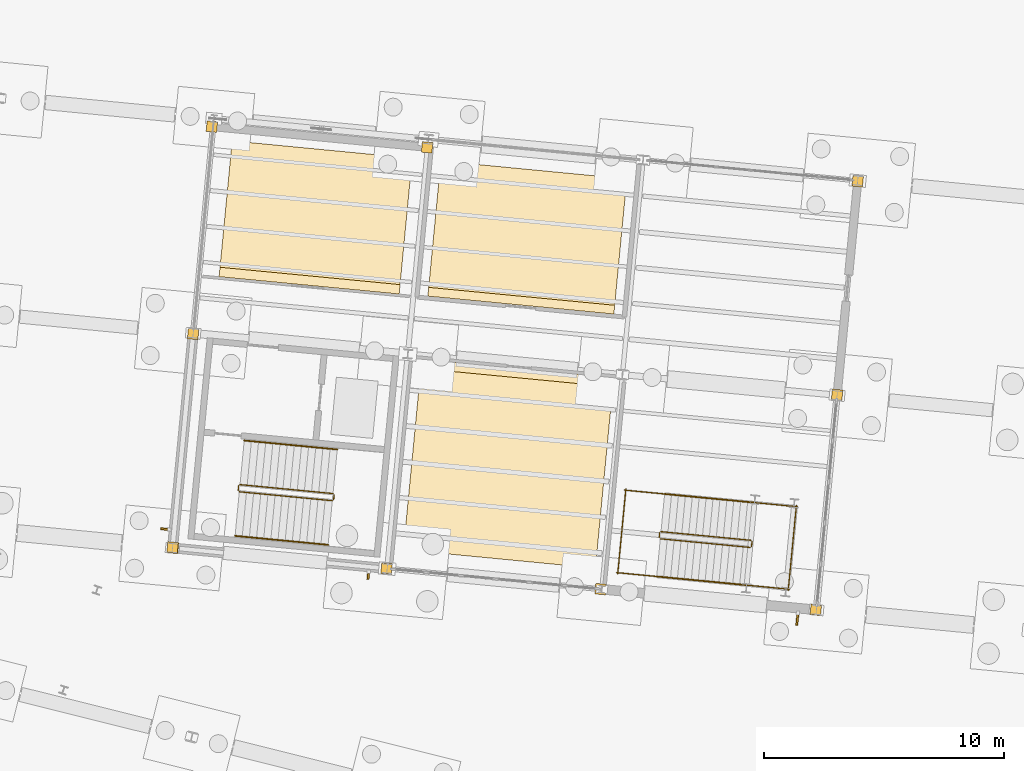
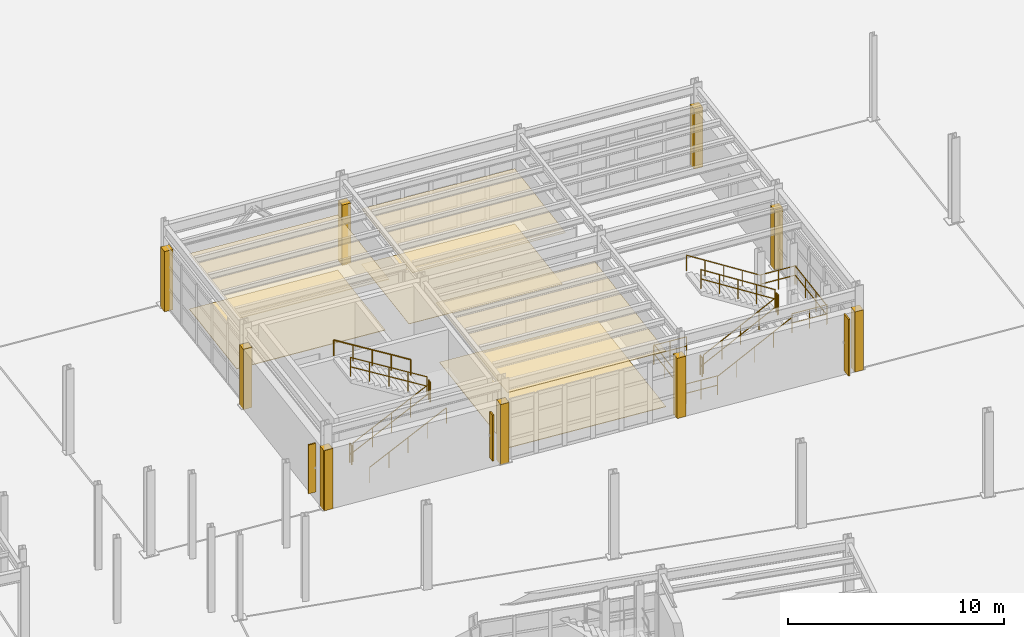
# One storey, part 104 of 108: 18 railings, 16 coverings, 3 shading devices.
"""IFC4 building model written with IfcOpenShell, lengths in metres."""

from ifc_helpers import new_model, si_unit, direction, frame, origin, origin_2d, place, context, subcontext, project, spatial, polyline, rectangle, circle, outline, extrude, material, layer, layer_set, type_object, element, save


model = new_model("IFC4")

# Units and contexts
model_context = context("Model", 3, precision=1e-05, world=origin(), true_north=direction((0.0, 1.0)))
body_context = subcontext(model_context, "Body", "Model", "MODEL_VIEW")
ifc_project = project(units=[si_unit("LENGTHUNIT", "METRE"), si_unit("AREAUNIT", "SQUARE_METRE"), si_unit("VOLUMEUNIT", "CUBIC_METRE"), si_unit("PLANEANGLEUNIT", "RADIAN"), si_unit("MASSUNIT", "GRAM", prefix="KILO")], contexts=[model_context])

# Site, building, storey
site_placement = place(None, origin())
site = spatial("IfcSite", under=ifc_project, at=site_placement, CompositionType="ELEMENT")
building_placement = place(site_placement, origin())
building = spatial("IfcBuilding", under=site, at=building_placement, Name="Vireo Bluff Cable Station", CompositionType="ELEMENT")
storey_placement = place(building_placement, origin())
storey = spatial("IfcBuildingStorey", under=building, at=storey_placement, Name="L00", CompositionType="ELEMENT", Elevation=0.0)

# Coverings
ifc_material_1 = material(Name="Perforated Acoustic Metal Ceiling")
ifc_layer_1 = layer(ifc_material_1, 0.02490234375, Name="Perforated Acoustic Metal Ceiling")
ifc_layer_set_1 = layer_set([ifc_layer_1], Name="Perforated Acoustic Metal Ceiling")
covering_type_1 = type_object("IfcCoveringType", Name="CEILING-ACOUSTIC-25", PredefinedType="CEILING", material=ifc_layer_set_1)
covering_1_placement = place(storey_placement, frame((0.0, 0.0, 3.1201171875)))
element("IfcCovering", 1, at=covering_1_placement, inside=storey, type_object=covering_type_1, Name="V3 L00 Security and Lost Property Office acoustic ceiling", PredefinedType="CEILING", context=body_context, shape_type="SweptSolid", body=[
    extrude(outline(polyline([(78.39453125, 77.513427734375), (86.158447265625, 76.765869140625), (86.70166015625, 82.4072265625), (78.937744140625, 83.15478515625), (78.39453125, 77.513427734375)])), origin(), (0.0, 0.0, 1.0), 0.02490234375),
])
ifc_layer_2 = layer(ifc_material_1, 0.034912109375, Name="Perforated Acoustic Metal Ceiling")
ifc_layer_set_2 = layer_set([ifc_layer_2], Name="Perforated Acoustic Metal Ceiling")
covering_type_2 = type_object("IfcCoveringType", Name="CEILING-ACOUSTIC-35", PredefinedType="CEILING", material=ifc_layer_set_2)
covering_2_placement = place(storey_placement, frame((0.0, 0.0, 3.1201171875)))
element("IfcCovering", 2, at=covering_2_placement, inside=storey, type_object=covering_type_2, Name="V3 L00 Ground Dispatch Room acoustic ceiling", PredefinedType="CEILING", context=body_context, shape_type="SweptSolid", body=[
    extrude(outline(polyline([(77.375244140625, 66.929931640625), (85.38818359375, 66.158203125), (86.153564453125, 74.1064453125), (78.140625, 74.878173828125), (77.375244140625, 66.929931640625)])), origin(), (0.0, 0.0, 1.0), 0.034912109375),
])
covering_3_placement = place(storey_placement, frame((0.0, 0.0, 3.1201171875)))
element("IfcCovering", 3, at=covering_3_placement, inside=storey, type_object=covering_type_2, Name="V3 L00 Bluff Arrival Vestibule acoustic ceiling", PredefinedType="CEILING", context=body_context, shape_type="SweptSolid", body=[
    extrude(outline(polyline([(69.68212890625, 78.32470703125), (77.197265625, 77.60107421875), (77.7431640625, 83.269775390625), (70.22802734375, 83.993408203125), (69.68212890625, 78.32470703125)])), origin(), (0.0, 0.0, 1.0), 0.034912109375),
])
ifc_material_2 = material(Name="Precast concrete f'c 45 MPa", Category="concrete")
ifc_layer_3 = layer(ifc_material_2, 0.0400390625, Name="Precast concrete f'c 45 MPa")
ifc_layer_set_3 = layer_set([ifc_layer_3], Name="Precast concrete f'c 45 MPa")
covering_type_3 = type_object("IfcCoveringType", Name="COL-CLOSURE-WRAP", PredefinedType="CLADDING", material=ifc_layer_set_3)
for number, where, z_axis, x_axis, name in (
    (4, (94.5888671875, 64.41845703125, 0.0), (0.0, 0.0, 1.0), (0.995396198367, -0.09584575252, 0.0), "V3 L00 column pocket closure"),
    (5, (85.6044921875, 65.283447265625, 0.0), (0.0, 0.0, 1.0), (0.995396198367, -0.09584575252, 0.0), "V3 L00 column pocket closure"),
    (6, (76.671875, 66.1435546875, 0.0), (0.0, 0.0, 1.0), (0.995396198367, -0.09584575252, 0.0), "V3 L00 column pocket closure"),
    (7, (67.760498046875, 67.001708984375, 0.0), (0.0, 0.0, 1.0), (0.995396198367, -0.09584575252, 0.0), "V3 L00 column pocket closure"),
    (8, (67.740234375, 67.025390625, 0.0), (0.0, 0.0, 1.0), (0.995396198367, -0.09584575252, 0.0), "V3 L00 column pocket closure"),
    (9, (68.597900390625, 75.93212890625, 0.0), (0.0, 0.0, 1.0), (0.995396198367, -0.09584575252, 0.0), "V3 L00 column pocket closure"),
    (10, (69.3798828125, 84.58740234375, 0.0), (0.0, 0.0, 1.0), (0.995396198367, -0.09584575252, 0.0), "V3 L00 column pocket closure"),
    (11, (78.364501953125, 83.722412109375, 0.0), (0.0, 0.0, 1.0), (0.995396198367, -0.09584575252, 0.0), "V3 L00 column pocket closure"),
    (12, (96.336181640625, 82.302734375, 0.0), (0.0, 0.0, 1.0), (0.995396198367, -0.09584575252, 0.0), "V3 L00 column pocket closure"),
    (13, (95.478515625, 73.39599609375, 0.0), (0.0, 0.0, 1.0), (0.995396198367, -0.09584575252, 0.0), "V3 L00 column pocket closure"),
):
    element("IfcCovering", number, at=place(storey_placement, frame(where, z_axis=z_axis, x_axis=x_axis)), inside=storey, type_object=covering_type_3, Name=name, PredefinedType="CLADDING", context=body_context, shape_type="SweptSolid", body=[
        extrude(rectangle(XDim=0.43994140625, YDim=0.43994140625, at=origin_2d()), origin(), (0.0, 0.0, 1.0), 3.39990234375),
    ])
ifc_material_3 = material(Name="Polished Terrazzo Flooring")
ifc_layer_4 = layer(ifc_material_3, 0.02001953125, Name="Polished Terrazzo Flooring")
ifc_layer_set_4 = layer_set([ifc_layer_4], Name="Polished Terrazzo Flooring")
covering_type_4 = type_object("IfcCoveringType", Name="FLOORING-TERRAZZO-20", PredefinedType="FLOORING", material=ifc_layer_set_4)
covering_4_placement = place(storey_placement, origin())
element("IfcCovering", 14, at=covering_4_placement, inside=storey, type_object=covering_type_4, Name="V3 L00 Security and Lost Property Office terrazzo finish", PredefinedType="FLOORING", context=body_context, shape_type="SweptSolid", body=[
    extrude(outline(polyline([(78.4296875, 77.879150390625), (86.19384765625, 77.131591796875), (86.70166015625, 82.4072265625), (78.937744140625, 83.15478515625), (78.4296875, 77.879150390625)])), origin(), (0.0, 0.0, 1.0), 0.02001953125),
])
ifc_layer_5 = layer(ifc_material_3, 0.030029296875, Name="Polished Terrazzo Flooring")
ifc_layer_set_5 = layer_set([ifc_layer_5], Name="Polished Terrazzo Flooring")
covering_type_5 = type_object("IfcCoveringType", Name="FLOORING-TERRAZZO-30", PredefinedType="FLOORING", material=ifc_layer_set_5)
covering_5_placement = place(storey_placement, origin())
element("IfcCovering", 15, at=covering_5_placement, inside=storey, type_object=covering_type_5, Name="V3 L00 Ground Dispatch Room terrazzo finish", PredefinedType="FLOORING", context=body_context, shape_type="SweptSolid", body=[
    extrude(outline(polyline([(77.375244140625, 66.929931640625), (85.38818359375, 66.158203125), (86.11669921875, 73.723388671875), (78.103759765625, 74.494873046875), (77.375244140625, 66.929931640625)])), origin(), (0.0, 0.0, 1.0), 0.030029296875),
])
covering_6_placement = place(storey_placement, origin())
element("IfcCovering", 16, at=covering_6_placement, inside=storey, type_object=covering_type_5, Name="V3 L00 Bluff Arrival Vestibule terrazzo finish", PredefinedType="FLOORING", context=body_context, shape_type="SweptSolid", body=[
    extrude(outline(polyline([(69.719970703125, 78.7177734375), (77.235107421875, 77.994140625), (77.7431640625, 83.269775390625), (70.22802734375, 83.993408203125), (69.719970703125, 78.7177734375)])), origin(), (0.0, 0.0, 1.0), 0.030029296875),
])

# Shading devices
ifc_material_4 = material(Name="Extruded Terracotta Solar Fin", Category="masonry")
shading_device_type_1 = type_object("IfcShadingDeviceType", Name="SOLARFIN-320X2600", PredefinedType="SHUTTER", material=ifc_material_4)
shading_device_1_placement = place(storey_placement, frame((75.91015625, 65.850341796875, 0.550048828125), z_axis=(0.0, 0.0, 1.0), x_axis=(-0.995396205524, 0.095845678199, 0.0)))
element("IfcShadingDevice", 17, at=shading_device_1_placement, inside=storey, type_object=shading_device_type_1, Name="V3 L00 solar brise-soleil fin 18", PredefinedType="SHUTTER", context=body_context, shape_type="SweptSolid", body=[
    extrude(rectangle(XDim=0.080078125, YDim=0.320068359375, at=origin_2d()), origin(), (0.0, 0.0, 1.0), 2.60009765625),
])
shading_device_type_2 = type_object("IfcShadingDeviceType", Name="SOLARFIN-360X2750", PredefinedType="SHUTTER", material=ifc_material_4)
shading_device_2_placement = place(storey_placement, frame((67.421875, 67.789306640625, 0.47509765625), z_axis=(0.0, 0.0, 1.0), x_axis=(0.095845710321, 0.99539620243, 0.0)))
element("IfcShadingDevice", 18, at=shading_device_2_placement, inside=storey, type_object=shading_device_type_2, Name="V3 L00 solar brise-soleil fin 19", PredefinedType="SHUTTER", context=body_context, shape_type="SweptSolid", body=[
    extrude(rectangle(XDim=0.080078125, YDim=0.360107421875, at=origin_2d()), origin(), (0.0, 0.0, 1.0), 2.75),
])
shading_device_type_3 = type_object("IfcShadingDeviceType", Name="SOLARFIN-520X3200", PredefinedType="SHUTTER", material=ifc_material_4)
shading_device_3_placement = place(storey_placement, frame((93.818115234375, 64.030517578125, 0.25), z_axis=(0.0, 0.0, 1.0), x_axis=(-0.995396202153, 0.095845713205, 0.0)))
element("IfcShadingDevice", 19, at=shading_device_3_placement, inside=storey, type_object=shading_device_type_3, Name="V3 L00 solar brise-soleil fin 17", PredefinedType="SHUTTER", context=body_context, shape_type="SweptSolid", body=[
    extrude(rectangle(XDim=0.080078125, YDim=0.52001953125, at=origin_2d()), origin(), (0.0, 0.0, 1.0), 3.199951171875),
])

# Railings
ifc_material_5 = material(Name="Stainless Steel 316", Category="steel")
railing_type_1 = type_object("IfcRailingType", Name="STAIR-GUARD-1100", PredefinedType="GUARDRAIL", material=ifc_material_5)
railing_1_placement = place(storey_placement, frame((70.525634765625, 69.347412109375, 0.17138671875)))
element("IfcRailing", 20, at=railing_1_placement, inside=storey, type_object=railing_type_1, Name="L00 ST-01 stair guard 1", PredefinedType="GUARDRAIL", context=body_context, shape_type="SweptSolid", body=[
    extrude(circle(Radius=0.02392578125, at=origin_2d()), frame((0.0, 0.0, 1.076171875), z_axis=(0.864253522803, -0.083213140269, 0.496126416964), x_axis=(0.095840036621, 0.995396748729, 0.0)), (0.0, 0.0, 1.0), 4.491943359375),
    extrude(circle(Radius=0.02392578125, at=origin_2d()), frame((0.0, 0.0, 0.550048828125), z_axis=(0.864253522803, -0.083213140269, 0.496126416964), x_axis=(0.095840036621, 0.995396748729, 0.0)), (0.0, 0.0, 1.0), 4.491943359375),
    extrude(circle(Radius=0.02099609375, at=origin_2d()), origin(), (0.0, 0.0, 1.0), 1.052001953125),
    extrude(circle(Radius=0.02099609375, at=origin_2d()), frame((0.970458984375, -0.093505859375, 0.55712890625)), (0.0, 0.0, 1.0), 1.052001953125),
    extrude(circle(Radius=0.02099609375, at=origin_2d()), frame((1.94091796875, -0.18701171875, 1.1142578125)), (0.0, 0.0, 1.0), 1.052001953125),
    extrude(circle(Radius=0.02099609375, at=origin_2d()), frame((2.91162109375, -0.2802734375, 1.67138671875)), (0.0, 0.0, 1.0), 1.052001953125),
    extrude(circle(Radius=0.02099609375, at=origin_2d()), frame((3.882080078125, -0.373779296875, 2.228515625)), (0.0, 0.0, 1.0), 1.052001953125),
])
railing_2_placement = place(storey_placement, frame((74.462158203125, 69.018798828125, 2.39990234375)))
element("IfcRailing", 21, at=railing_2_placement, inside=storey, type_object=railing_type_1, Name="L00 ST-01 stair guard 2", PredefinedType="GUARDRAIL", context=body_context, shape_type="SweptSolid", body=[
    extrude(circle(Radius=0.02392578125, at=origin_2d()), frame((0.0, 0.0, 1.076171875), z_axis=(0.096480314764, 0.995334892819, 0.0), x_axis=(-0.995334892819, 0.096480314764, 0.0)), (0.0, 0.0, 1.0), 0.199951171875),
    extrude(circle(Radius=0.02392578125, at=origin_2d()), frame((0.0, 0.0, 0.550048828125), z_axis=(0.096480314764, 0.995334892819, 0.0), x_axis=(-0.995334892819, 0.096480314764, 0.0)), (0.0, 0.0, 1.0), 0.199951171875),
    extrude(circle(Radius=0.02099609375, at=origin_2d()), origin(), (0.0, 0.0, 1.0), 1.052001953125),
    extrude(circle(Radius=0.02099609375, at=origin_2d()), frame((0.019287109375, 0.198974609375, 0.0)), (0.0, 0.0, 1.0), 1.052001953125),
])
railing_3_placement = place(storey_placement, frame((74.436279296875, 69.272216796875, 2.571533203125)))
element("IfcRailing", 22, at=railing_3_placement, inside=storey, type_object=railing_type_1, Name="L00 ST-01 stair guard 3", PredefinedType="GUARDRAIL", context=body_context, shape_type="SweptSolid", body=[
    extrude(circle(Radius=0.02392578125, at=origin_2d()), frame((0.0, 0.0, 1.076171875), z_axis=(-0.864249612696, 0.083267115694, 0.496124172359), x_axis=(-0.095902060697, -0.995390774899, 0.0)), (0.0, 0.0, 1.0), 4.491943359375),
    extrude(circle(Radius=0.02392578125, at=origin_2d()), frame((0.0, 0.0, 0.550048828125), z_axis=(-0.864249612696, 0.083267115694, 0.496124172359), x_axis=(-0.095902060697, -0.995390774899, 0.0)), (0.0, 0.0, 1.0), 4.491943359375),
    extrude(circle(Radius=0.02099609375, at=origin_2d()), origin(), (0.0, 0.0, 1.0), 1.052001953125),
    extrude(circle(Radius=0.02099609375, at=origin_2d()), frame((-0.970458984375, 0.093505859375, 0.55712890625)), (0.0, 0.0, 1.0), 1.052001953125),
    extrude(circle(Radius=0.02099609375, at=origin_2d()), frame((-1.94091796875, 0.18701171875, 1.1142578125)), (0.0, 0.0, 1.0), 1.052001953125),
    extrude(circle(Radius=0.02099609375, at=origin_2d()), frame((-2.91162109375, 0.280517578125, 1.67138671875)), (0.0, 0.0, 1.0), 1.052001953125),
    extrude(circle(Radius=0.02099609375, at=origin_2d()), frame((-3.882080078125, 0.3740234375, 2.228515625)), (0.0, 0.0, 1.0), 1.052001953125),
])
railing_4_placement = place(storey_placement, frame((70.48046875, 69.402099609375, 0.0)))
element("IfcRailing", 23, at=railing_4_placement, inside=storey, type_object=railing_type_1, Name="L00 ST-01 stair guard 4", PredefinedType="GUARDRAIL", context=body_context, shape_type="SweptSolid", body=[
    extrude(circle(Radius=0.02392578125, at=origin_2d()), frame((0.0, 0.0, 1.076171875), z_axis=(0.096480314764, 0.995334892819, 0.0), x_axis=(-0.995334892819, 0.096480314764, 0.0)), (0.0, 0.0, 1.0), 0.199951171875),
    extrude(circle(Radius=0.02392578125, at=origin_2d()), frame((0.0, 0.0, 0.550048828125), z_axis=(0.096480314764, 0.995334892819, 0.0), x_axis=(-0.995334892819, 0.096480314764, 0.0)), (0.0, 0.0, 1.0), 0.199951171875),
    extrude(circle(Radius=0.02099609375, at=origin_2d()), origin(), (0.0, 0.0, 1.0), 1.052001953125),
    extrude(circle(Radius=0.02099609375, at=origin_2d()), frame((0.019287109375, 0.198974609375, 0.0)), (0.0, 0.0, 1.0), 1.052001953125),
])
railing_5_placement = place(storey_placement, frame((88.098388671875, 67.38427734375, 0.17138671875)))
element("IfcRailing", 24, at=railing_5_placement, inside=storey, type_object=railing_type_1, Name="L00 ST-11 stair guard 1", PredefinedType="GUARDRAIL", context=body_context, shape_type="SweptSolid", body=[
    extrude(circle(Radius=0.02392578125, at=origin_2d()), frame((0.0, 0.0, 1.076171875), z_axis=(0.856872396868, -0.082509508612, 0.50888296933), x_axis=(0.095848147835, 0.995395967722, 0.0)), (0.0, 0.0, 1.0), 4.379150390625),
    extrude(circle(Radius=0.02392578125, at=origin_2d()), frame((0.0, 0.0, 0.550048828125), z_axis=(0.856872396868, -0.082509508612, 0.50888296933), x_axis=(0.095848147835, 0.995395967722, 0.0)), (0.0, 0.0, 1.0), 4.379150390625),
    extrude(circle(Radius=0.02099609375, at=origin_2d()), origin(), (0.0, 0.0, 1.0), 1.052001953125),
    extrude(circle(Radius=0.02099609375, at=origin_2d()), frame((0.93798828125, -0.09033203125, 0.55712890625)), (0.0, 0.0, 1.0), 1.052001953125),
    extrude(circle(Radius=0.02099609375, at=origin_2d()), frame((1.876220703125, -0.1806640625, 1.1142578125)), (0.0, 0.0, 1.0), 1.052001953125),
    extrude(circle(Radius=0.02099609375, at=origin_2d()), frame((2.814453125, -0.27099609375, 1.67138671875)), (0.0, 0.0, 1.0), 1.052001953125),
    extrude(circle(Radius=0.02099609375, at=origin_2d()), frame((3.75244140625, -0.361328125, 2.228515625)), (0.0, 0.0, 1.0), 1.052001953125),
])
railing_6_placement = place(storey_placement, frame((91.905517578125, 67.06787109375, 2.39990234375)))
element("IfcRailing", 25, at=railing_6_placement, inside=storey, type_object=railing_type_1, Name="L00 ST-11 stair guard 2", PredefinedType="GUARDRAIL", context=body_context, shape_type="SweptSolid", body=[
    extrude(circle(Radius=0.02392578125, at=origin_2d()), frame((0.0, 0.0, 1.076171875), z_axis=(0.095270200107, 0.995451449832, 0.0), x_axis=(-0.995451449832, 0.095270200107, 0.0)), (0.0, 0.0, 1.0), 0.199951171875),
    extrude(circle(Radius=0.02392578125, at=origin_2d()), frame((0.0, 0.0, 0.550048828125), z_axis=(0.095270200107, 0.995451449832, 0.0), x_axis=(-0.995451449832, 0.095270200107, 0.0)), (0.0, 0.0, 1.0), 0.199951171875),
    extrude(circle(Radius=0.02099609375, at=origin_2d()), origin(), (0.0, 0.0, 1.0), 1.052001953125),
    extrude(circle(Radius=0.02099609375, at=origin_2d()), frame((0.01904296875, 0.198974609375, 0.0)), (0.0, 0.0, 1.0), 1.052001953125),
])
for number, where, name in (
    (26, (91.699462890625, 65.4501953125, 2.39990234375), "L00 ST-11 stair guard 3"),
    (27, (92.031005859375, 68.894287109375, 2.39990234375), "L00 ST-11 stair guard 4"),
):
    element("IfcRailing", number, at=place(storey_placement, frame(where)), inside=storey, type_object=railing_type_1, Name=name, PredefinedType="GUARDRAIL", context=body_context, shape_type="SweptSolid", body=[
        extrude(circle(Radius=0.02392578125, at=origin_2d()), frame((0.0, 0.0, 1.076171875), z_axis=(0.995391866735, -0.09589072759, 0.0), x_axis=(0.09589072759, 0.995391866735, 0.0)), (0.0, 0.0, 1.0), 1.800048828125),
        extrude(circle(Radius=0.02392578125, at=origin_2d()), frame((0.0, 0.0, 0.550048828125), z_axis=(0.995391866735, -0.09589072759, 0.0), x_axis=(0.09589072759, 0.995391866735, 0.0)), (0.0, 0.0, 1.0), 1.800048828125),
        extrude(circle(Radius=0.02099609375, at=origin_2d()), origin(), (0.0, 0.0, 1.0), 1.052001953125),
        extrude(circle(Radius=0.02099609375, at=origin_2d()), frame((0.89599609375, -0.08642578125, 0.0)), (0.0, 0.0, 1.0), 1.052001953125),
        extrude(circle(Radius=0.02099609375, at=origin_2d()), frame((1.791748046875, -0.172607421875, 0.0)), (0.0, 0.0, 1.0), 1.052001953125),
    ])
railing_7_placement = place(storey_placement, frame((93.4365234375, 65.232666015625, 2.39990234375)))
element("IfcRailing", 28, at=railing_7_placement, inside=storey, type_object=railing_type_1, Name="L00 ST-11 stair guard 5", PredefinedType="GUARDRAIL", context=body_context, shape_type="SweptSolid", body=[
    extrude(circle(Radius=0.02392578125, at=origin_2d()), frame((0.0, 0.0, 1.076171875), z_axis=(0.095877061462, 0.995393183162, 0.0), x_axis=(-0.995393183162, 0.095877061462, 0.0)), (0.0, 0.0, 1.0), 3.559814453125),
    extrude(circle(Radius=0.02392578125, at=origin_2d()), frame((0.0, 0.0, 0.550048828125), z_axis=(0.095877061462, 0.995393183162, 0.0), x_axis=(-0.995393183162, 0.095877061462, 0.0)), (0.0, 0.0, 1.0), 3.559814453125),
    extrude(circle(Radius=0.02099609375, at=origin_2d()), origin(), (0.0, 0.0, 1.0), 1.052001953125),
    extrude(circle(Radius=0.02099609375, at=origin_2d()), frame((0.11376953125, 1.18115234375, 0.0)), (0.0, 0.0, 1.0), 1.052001953125),
    extrude(circle(Radius=0.02099609375, at=origin_2d()), frame((0.2275390625, 2.3623046875, 0.0)), (0.0, 0.0, 1.0), 1.052001953125),
    extrude(circle(Radius=0.02099609375, at=origin_2d()), frame((0.34130859375, 3.54345703125, 0.0)), (0.0, 0.0, 1.0), 1.052001953125),
])
railing_8_placement = place(storey_placement, frame((91.879638671875, 67.321533203125, 2.571533203125)))
element("IfcRailing", 29, at=railing_8_placement, inside=storey, type_object=railing_type_1, Name="L00 ST-11 stair guard 6", PredefinedType="GUARDRAIL", context=body_context, shape_type="SweptSolid", body=[
    extrude(circle(Radius=0.02392578125, at=origin_2d()), frame((0.0, 0.0, 1.076171875), z_axis=(-0.856887212378, 0.082505567258, 0.508858660763), x_axis=(-0.095841969468, -0.995396562626, 0.0)), (0.0, 0.0, 1.0), 4.37939453125),
    extrude(circle(Radius=0.02392578125, at=origin_2d()), frame((0.0, 0.0, 0.550048828125), z_axis=(-0.856887212378, 0.082505567258, 0.508858660763), x_axis=(-0.095841969468, -0.995396562626, 0.0)), (0.0, 0.0, 1.0), 4.37939453125),
    extrude(circle(Radius=0.02099609375, at=origin_2d()), origin(), (0.0, 0.0, 1.0), 1.052001953125),
    extrude(circle(Radius=0.02099609375, at=origin_2d()), frame((-0.938232421875, 0.09033203125, 0.55712890625)), (0.0, 0.0, 1.0), 1.052001953125),
    extrude(circle(Radius=0.02099609375, at=origin_2d()), frame((-1.87646484375, 0.1806640625, 1.1142578125)), (0.0, 0.0, 1.0), 1.052001953125),
    extrude(circle(Radius=0.02099609375, at=origin_2d()), frame((-2.814453125, 0.27099609375, 1.67138671875)), (0.0, 0.0, 1.0), 1.052001953125),
    extrude(circle(Radius=0.02099609375, at=origin_2d()), frame((-3.752685546875, 0.361328125, 2.228515625)), (0.0, 0.0, 1.0), 1.052001953125),
])
railing_9_placement = place(storey_placement, frame((88.05322265625, 67.438720703125, 0.0)))
element("IfcRailing", 30, at=railing_9_placement, inside=storey, type_object=railing_type_1, Name="L00 ST-11 stair guard 7", PredefinedType="GUARDRAIL", context=body_context, shape_type="SweptSolid", body=[
    extrude(circle(Radius=0.02392578125, at=origin_2d()), frame((0.0, 0.0, 1.076171875), z_axis=(0.096363177672, 0.995346240255, 0.0), x_axis=(-0.995346240255, 0.096363177672, 0.0)), (0.0, 0.0, 1.0), 0.2001953125),
    extrude(circle(Radius=0.02392578125, at=origin_2d()), frame((0.0, 0.0, 0.550048828125), z_axis=(0.096363177672, 0.995346240255, 0.0), x_axis=(-0.995346240255, 0.096363177672, 0.0)), (0.0, 0.0, 1.0), 0.2001953125),
    extrude(circle(Radius=0.02099609375, at=origin_2d()), origin(), (0.0, 0.0, 1.0), 1.052001953125),
    extrude(circle(Radius=0.02099609375, at=origin_2d()), frame((0.019287109375, 0.19921875, 0.0)), (0.0, 0.0, 1.0), 1.052001953125),
])
railing_10_placement = place(storey_placement, frame((86.274658203125, 65.972412109375, 0.0)))
element("IfcRailing", 31, at=railing_10_placement, inside=storey, type_object=railing_type_1, Name="L00 ST-11 stair guard 8", PredefinedType="GUARDRAIL", context=body_context, shape_type="SweptSolid", body=[
    extrude(circle(Radius=0.02392578125, at=origin_2d()), frame((0.0, 0.0, 1.076171875), z_axis=(0.995402902627, -0.095776100574, 0.0), x_axis=(0.095776100574, 0.995402902627, 0.0)), (0.0, 0.0, 1.0), 1.679931640625),
    extrude(circle(Radius=0.02392578125, at=origin_2d()), frame((0.0, 0.0, 0.550048828125), z_axis=(0.995402902627, -0.095776100574, 0.0), x_axis=(0.095776100574, 0.995402902627, 0.0)), (0.0, 0.0, 1.0), 1.679931640625),
    extrude(circle(Radius=0.02099609375, at=origin_2d()), origin(), (0.0, 0.0, 1.0), 1.052001953125),
    extrude(circle(Radius=0.02099609375, at=origin_2d()), frame((0.8359375, -0.08056640625, 0.0)), (0.0, 0.0, 1.0), 1.052001953125),
    extrude(circle(Radius=0.02099609375, at=origin_2d()), frame((1.672119140625, -0.160888671875, 0.0)), (0.0, 0.0, 1.0), 1.052001953125),
])
railing_11_placement = place(storey_placement, frame((86.606201171875, 69.41650390625, 0.0)))
element("IfcRailing", 32, at=railing_11_placement, inside=storey, type_object=railing_type_1, Name="L00 ST-11 stair guard 9", PredefinedType="GUARDRAIL", context=body_context, shape_type="SweptSolid", body=[
    extrude(circle(Radius=0.02392578125, at=origin_2d()), frame((0.0, 0.0, 1.076171875), z_axis=(0.99540423551, -0.095762246891, 0.0), x_axis=(0.095762246891, 0.99540423551, 0.0)), (0.0, 0.0, 1.0), 1.68017578125),
    extrude(circle(Radius=0.02392578125, at=origin_2d()), frame((0.0, 0.0, 0.550048828125), z_axis=(0.99540423551, -0.095762246891, 0.0), x_axis=(0.095762246891, 0.99540423551, 0.0)), (0.0, 0.0, 1.0), 1.68017578125),
    extrude(circle(Radius=0.02099609375, at=origin_2d()), origin(), (0.0, 0.0, 1.0), 1.052001953125),
    extrude(circle(Radius=0.02099609375, at=origin_2d()), frame((0.836181640625, -0.08056640625, 0.0)), (0.0, 0.0, 1.0), 1.052001953125),
    extrude(circle(Radius=0.02099609375, at=origin_2d()), frame((1.67236328125, -0.160888671875, 0.0)), (0.0, 0.0, 1.0), 1.052001953125),
])
railing_12_placement = place(storey_placement, frame((86.319580078125, 65.91796875, 0.0)))
element("IfcRailing", 33, at=railing_12_placement, inside=storey, type_object=railing_type_1, Name="L00 ST-11 stair guard 10", PredefinedType="GUARDRAIL", context=body_context, shape_type="SweptSolid", body=[
    extrude(circle(Radius=0.02392578125, at=origin_2d()), frame((0.0, 0.0, 1.076171875), z_axis=(0.095809109633, 0.995399725995, 0.0), x_axis=(-0.995399725995, 0.095809109633, 0.0)), (0.0, 0.0, 1.0), 3.559814453125),
    extrude(circle(Radius=0.02392578125, at=origin_2d()), frame((0.0, 0.0, 0.550048828125), z_axis=(0.095809109633, 0.995399725995, 0.0), x_axis=(-0.995399725995, 0.095809109633, 0.0)), (0.0, 0.0, 1.0), 3.559814453125),
    extrude(circle(Radius=0.02099609375, at=origin_2d()), origin(), (0.0, 0.0, 1.0), 1.052001953125),
    extrude(circle(Radius=0.02099609375, at=origin_2d()), frame((0.11376953125, 1.18115234375, 0.0)), (0.0, 0.0, 1.0), 1.052001953125),
    extrude(circle(Radius=0.02099609375, at=origin_2d()), frame((0.227294921875, 2.3623046875, 0.0)), (0.0, 0.0, 1.0), 1.052001953125),
    extrude(circle(Radius=0.02099609375, at=origin_2d()), frame((0.341064453125, 3.54345703125, 0.0)), (0.0, 0.0, 1.0), 1.052001953125),
])
railing_type_2 = type_object("IfcRailingType", Name="STAIR-HANDRAIL-900", PredefinedType="HANDRAIL", material=ifc_material_5)
railing_13_placement = place(storey_placement, frame((70.34814453125, 67.506103515625, 0.17138671875)))
element("IfcRailing", 34, at=railing_13_placement, inside=storey, type_object=railing_type_2, Name="L00 ST-01 stair handrail 1", PredefinedType="HANDRAIL", context=body_context, shape_type="SweptSolid", body=[
    extrude(circle(Radius=0.02392578125, at=origin_2d()), frame((0.0, 0.0, 0.8759765625), z_axis=(0.864253522803, -0.083213140269, 0.496126416964), x_axis=(0.095840036621, 0.995396748729, 0.0)), (0.0, 0.0, 1.0), 4.491943359375),
    extrude(circle(Radius=0.02099609375, at=origin_2d()), origin(), (0.0, 0.0, 1.0), 0.851806640625),
    extrude(circle(Radius=0.02099609375, at=origin_2d()), frame((0.970458984375, -0.093505859375, 0.55712890625)), (0.0, 0.0, 1.0), 0.851806640625),
    extrude(circle(Radius=0.02099609375, at=origin_2d()), frame((1.94091796875, -0.18701171875, 1.1142578125)), (0.0, 0.0, 1.0), 0.851806640625),
    extrude(circle(Radius=0.02099609375, at=origin_2d()), frame((2.91162109375, -0.2802734375, 1.67138671875)), (0.0, 0.0, 1.0), 0.851806640625),
    extrude(circle(Radius=0.02099609375, at=origin_2d()), frame((3.882080078125, -0.373779296875, 2.228515625)), (0.0, 0.0, 1.0), 0.851806640625),
])
railing_14_placement = place(storey_placement, frame((74.61376953125, 71.11376953125, 2.571533203125)))
element("IfcRailing", 35, at=railing_14_placement, inside=storey, type_object=railing_type_2, Name="L00 ST-01 stair handrail 2", PredefinedType="HANDRAIL", context=body_context, shape_type="SweptSolid", body=[
    extrude(circle(Radius=0.02392578125, at=origin_2d()), frame((0.0, 0.0, 0.8759765625), z_axis=(-0.864253522803, 0.083213140269, 0.496126416964), x_axis=(-0.095840036621, -0.995396748729, 0.0)), (0.0, 0.0, 1.0), 4.491943359375),
    extrude(circle(Radius=0.02099609375, at=origin_2d()), origin(), (0.0, 0.0, 1.0), 0.851806640625),
    extrude(circle(Radius=0.02099609375, at=origin_2d()), frame((-0.970458984375, 0.093505859375, 0.55712890625)), (0.0, 0.0, 1.0), 0.851806640625),
    extrude(circle(Radius=0.02099609375, at=origin_2d()), frame((-1.94091796875, 0.18701171875, 1.1142578125)), (0.0, 0.0, 1.0), 0.851806640625),
    extrude(circle(Radius=0.02099609375, at=origin_2d()), frame((-2.91162109375, 0.2802734375, 1.67138671875)), (0.0, 0.0, 1.0), 0.851806640625),
    extrude(circle(Radius=0.02099609375, at=origin_2d()), frame((-3.882080078125, 0.373779296875, 2.228515625)), (0.0, 0.0, 1.0), 0.851806640625),
])
railing_15_placement = place(storey_placement, frame((87.94677734375, 65.8115234375, 0.17138671875)))
element("IfcRailing", 36, at=railing_15_placement, inside=storey, type_object=railing_type_2, Name="L00 ST-11 stair handrail 1", PredefinedType="HANDRAIL", context=body_context, shape_type="SweptSolid", body=[
    extrude(circle(Radius=0.02392578125, at=origin_2d()), frame((0.0, 0.0, 0.8759765625), z_axis=(0.856887212378, -0.082505567258, 0.508858660763), x_axis=(0.095841969468, 0.995396562626, 0.0)), (0.0, 0.0, 1.0), 4.37939453125),
    extrude(circle(Radius=0.02099609375, at=origin_2d()), origin(), (0.0, 0.0, 1.0), 0.851806640625),
    extrude(circle(Radius=0.02099609375, at=origin_2d()), frame((0.938232421875, -0.09033203125, 0.55712890625)), (0.0, 0.0, 1.0), 0.851806640625),
    extrude(circle(Radius=0.02099609375, at=origin_2d()), frame((1.87646484375, -0.1806640625, 1.1142578125)), (0.0, 0.0, 1.0), 0.851806640625),
    extrude(circle(Radius=0.02099609375, at=origin_2d()), frame((2.814453125, -0.27099609375, 1.67138671875)), (0.0, 0.0, 1.0), 0.851806640625),
    extrude(circle(Radius=0.02099609375, at=origin_2d()), frame((3.752685546875, -0.361328125, 2.228515625)), (0.0, 0.0, 1.0), 0.851806640625),
])
railing_16_placement = place(storey_placement, frame((92.031005859375, 68.894287109375, 2.571533203125)))
element("IfcRailing", 37, at=railing_16_placement, inside=storey, type_object=railing_type_2, Name="L00 ST-11 stair handrail 2", PredefinedType="HANDRAIL", context=body_context, shape_type="SweptSolid", body=[
    extrude(circle(Radius=0.02392578125, at=origin_2d()), frame((0.0, 0.0, 0.8759765625), z_axis=(-0.856872396868, 0.082509508612, 0.50888296933), x_axis=(-0.095848147835, -0.995395967722, 0.0)), (0.0, 0.0, 1.0), 4.379150390625),
    extrude(circle(Radius=0.02099609375, at=origin_2d()), origin(), (0.0, 0.0, 1.0), 0.851806640625),
    extrude(circle(Radius=0.02099609375, at=origin_2d()), frame((-0.93798828125, 0.09033203125, 0.55712890625)), (0.0, 0.0, 1.0), 0.851806640625),
    extrude(circle(Radius=0.02099609375, at=origin_2d()), frame((-1.876220703125, 0.1806640625, 1.1142578125)), (0.0, 0.0, 1.0), 0.851806640625),
    extrude(circle(Radius=0.02099609375, at=origin_2d()), frame((-2.814453125, 0.27099609375, 1.67138671875)), (0.0, 0.0, 1.0), 0.851806640625),
    extrude(circle(Radius=0.02099609375, at=origin_2d()), frame((-3.75244140625, 0.361328125, 2.228515625)), (0.0, 0.0, 1.0), 0.851806640625),
])

save(model, "model.ifc")
